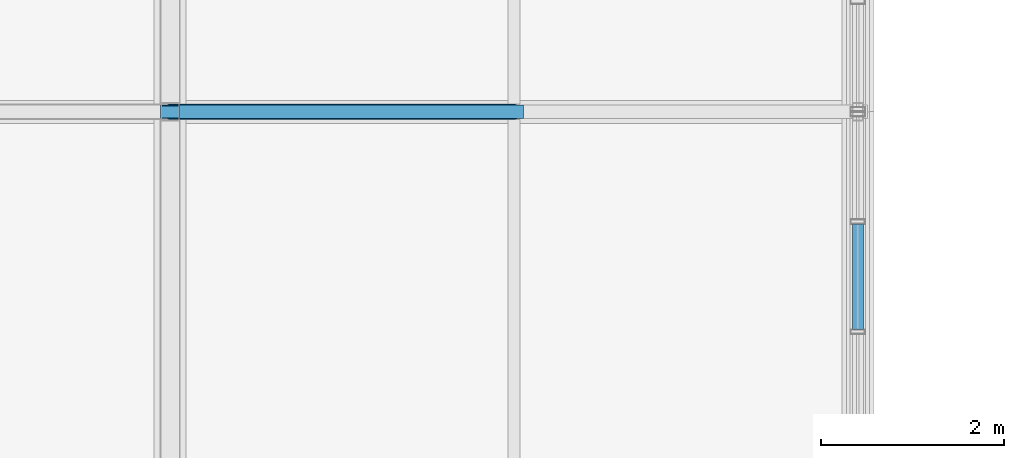
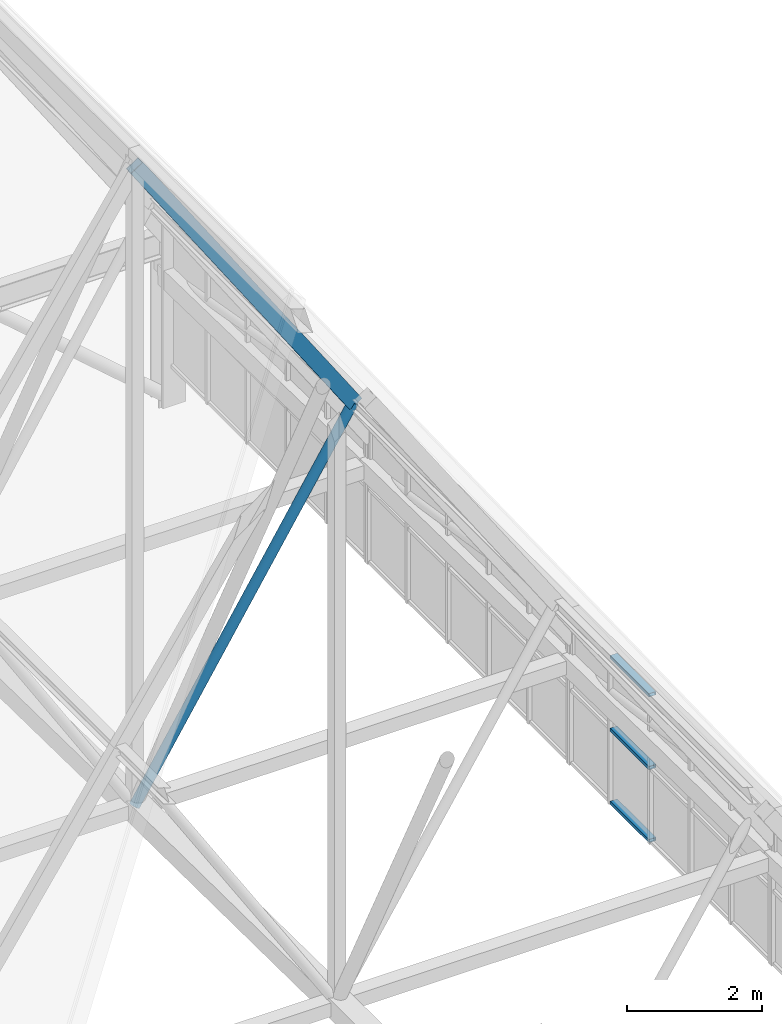
# One storey, part 239 of 324: 5 members, 1 element without a shape of its own.
"""IFC4 building model written with IfcOpenShell, lengths in metres."""

from ifc_helpers import new_model, si_unit, direction, frame, origin, origin_2d, place, context, subcontext, project, spatial, hollow_rectangle, hollow_circle, extrude, material, layer, layer_set, material_profile, profile_set, type_object, element, aggregate, save


model = new_model("IFC4")

# Units and contexts
model_context = context("Model", 3, precision=1e-05, world=origin(), true_north=direction((0.0, 1.0)))
body_context = subcontext(model_context, "Body", "Model", "MODEL_VIEW")
ifc_project = project(units=[si_unit("LENGTHUNIT", "METRE"), si_unit("AREAUNIT", "SQUARE_METRE"), si_unit("VOLUMEUNIT", "CUBIC_METRE"), si_unit("PLANEANGLEUNIT", "RADIAN"), si_unit("MASSUNIT", "GRAM", prefix="KILO")], contexts=[model_context])

# Site, building, storey
site_placement = place(None, origin())
site = spatial("IfcSite", under=ifc_project, at=site_placement, CompositionType="ELEMENT")
building_placement = place(site_placement, origin())
building = spatial("IfcBuilding", under=site, at=building_placement, Name="Solvenia Promenade Tram Depot", CompositionType="ELEMENT")
storey_placement = place(building_placement, frame((0.0, 0.0, 4.5)))
storey = spatial("IfcBuildingStorey", under=building, at=storey_placement, Name="L01", CompositionType="ELEMENT", Elevation=4.5)

# Curtain wall, members
ifc_material_1 = material(Name="Anodized aluminium AW-6063 T6", Category="aluminium")
ifc_layer = layer(ifc_material_1, 0.159912109375, Name="Anodized aluminium AW-6063 T6", Category="aluminium")
ifc_layer_set = layer_set([ifc_layer], Name="Anodized aluminium AW-6063 T6")
curtain_wall_type = type_object("IfcCurtainWallType", Name="CW-Channel-1200", PredefinedType="NOTDEFINED", material=ifc_layer_set)
curtain_wall_placement = place(storey_placement, origin())
curtain_wall = element("IfcCurtainWall", 1, at=curtain_wall_placement, inside=storey, type_object=curtain_wall_type, Name="Curtain Wall CW-V1E-08", PredefinedType="NOTDEFINED")
ifc_material_profile_1 = material_profile(ifc_material_1, hollow_rectangle(XDim=0.1201171875, YDim=0.06005859375, WallThickness=0.00390625, at=origin_2d()), Name="ALU-T1", Category="aluminium")
ifc_profile_set_1 = profile_set([ifc_material_profile_1], Name="Anodized aluminium AW-6063 T6")
member_type_1 = type_object("IfcMemberType", Name="CWT-Transom-1", PredefinedType="USERDEFINED", material=ifc_profile_set_1)
member_1_placement = place(storey_placement, frame((150.0, 111.6259765625, 0.72998046875), z_axis=(0.0, 1.0, 0.0), x_axis=(-1.0, 0.0, 0.0)))
member_1 = element("IfcMember", 2, at=member_1_placement, type_object=member_type_1, Name="CW-1 transom 4.1", ObjectType="TRANSOM", PredefinedType="USERDEFINED", context=body_context, shape_type="SweptSolid", body=[
    extrude(hollow_rectangle(XDim=0.1201171875, YDim=0.06005859375, WallThickness=0.00390625, at=origin_2d()), origin(), (0.0, 0.0, 1.0), 1.14794921875),
])
member_2_placement = place(storey_placement, frame((150.0, 111.6259765625, 2.050048828125), z_axis=(0.0, 1.0, 0.0), x_axis=(-1.0, 0.0, 0.0)))
member_2 = element("IfcMember", 3, at=member_2_placement, type_object=member_type_1, Name="CW-1 transom 4.2", ObjectType="TRANSOM", PredefinedType="USERDEFINED", context=body_context, shape_type="SweptSolid", body=[
    extrude(hollow_rectangle(XDim=0.1201171875, YDim=0.06005859375, WallThickness=0.00390625, at=origin_2d()), origin(), (0.0, 0.0, 1.0), 1.14794921875),
])
member_3_placement = place(storey_placement, frame((150.0, 111.6259765625, 3.3701171875), z_axis=(0.0, 1.0, 0.0), x_axis=(-1.0, 0.0, 0.0)))
member_3 = element("IfcMember", 4, at=member_3_placement, type_object=member_type_1, Name="CW-1 transom 4.3", ObjectType="TRANSOM", PredefinedType="USERDEFINED", context=body_context, shape_type="SweptSolid", body=[
    extrude(hollow_rectangle(XDim=0.1201171875, YDim=0.06005859375, WallThickness=0.00390625, at=origin_2d()), origin(), (0.0, 0.0, 1.0), 1.14794921875),
])
aggregate(curtain_wall, [member_1, member_2, member_3])

# Members
ifc_material_2 = material(Name="Structural steel ASTM A500 Gr. C", Category="steel")
ifc_material_profile_2 = material_profile(ifc_material_2, hollow_rectangle(XDim=0.14990234375, YDim=0.25, WallThickness=0.010009765625, at=origin_2d()), Name="HSS250x150x10", Category="steel")
ifc_profile_set_2 = profile_set([ifc_material_profile_2], Name="Structural steel ASTM A500 Gr. C")
member_type_2 = type_object("IfcMemberType", Name="Chord-HSS250x150x10", PredefinedType="CHORD", material=ifc_profile_set_2)
member_4_placement = place(storey_placement, frame((142.5, 114.0, 14.132080078125), z_axis=(0.557259486914, 0.0, -0.83033840345), x_axis=(0.0, 1.0, 0.0)))
element("IfcMember", 5, at=member_4_placement, inside=storey, type_object=member_type_2, Name="Zigzag Gable 10 East Upper Rafter", PredefinedType="CHORD", context=body_context, shape_type="SweptSolid", body=[
    extrude(hollow_rectangle(XDim=0.14990234375, YDim=0.25, WallThickness=0.010009765625, at=origin_2d()), origin(), (0.0, 0.0, 1.0), 6.729248046875),
])
ifc_material_profile_3 = material_profile(ifc_material_2, hollow_circle(Radius=0.084228515625, WallThickness=0.008056640625, at=origin_2d()), Name="CHS168.3x8", Category="steel")
ifc_profile_set_3 = profile_set([ifc_material_profile_3], Name="Structural steel ASTM A500 Gr. C")
member_type_3 = type_object("IfcMemberType", Name="WebDiag-CHS168x8", PredefinedType="BRACE", material=ifc_profile_set_3)
member_5_placement = place(storey_placement, frame((142.5, 114.0, 2.5439453125), z_axis=(0.529967925608, 0.0, 0.848017687213), x_axis=(0.0, 1.0, 0.0)))
element("IfcMember", 6, at=member_5_placement, inside=storey, type_object=member_type_3, Name="Zigzag Gable 10 East Knee Strut", PredefinedType="BRACE", context=body_context, shape_type="SweptSolid", body=[
    extrude(hollow_circle(Radius=0.084228515625, WallThickness=0.008056640625, at=origin_2d()), origin(), (0.0, 0.0, 1.0), 7.075927734375),
])

save(model, "model.ifc")
